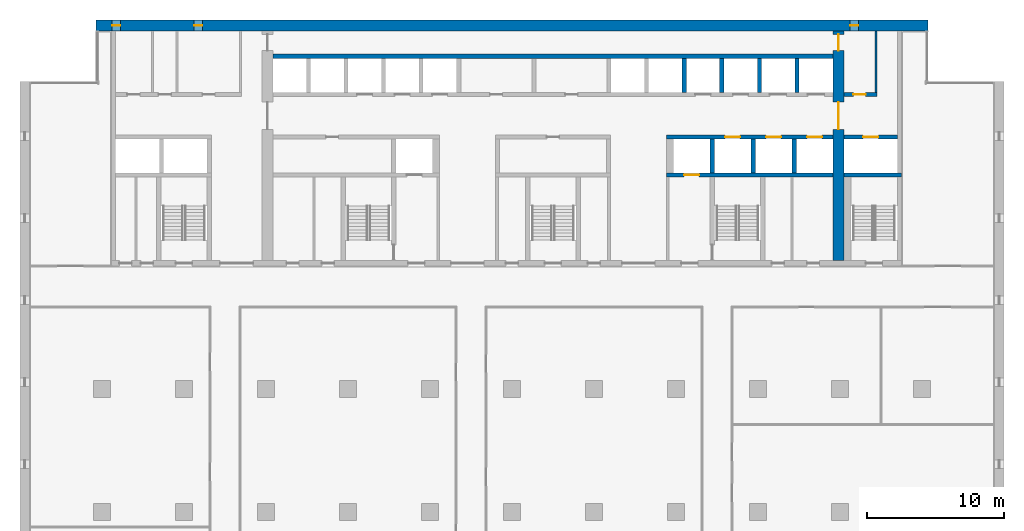
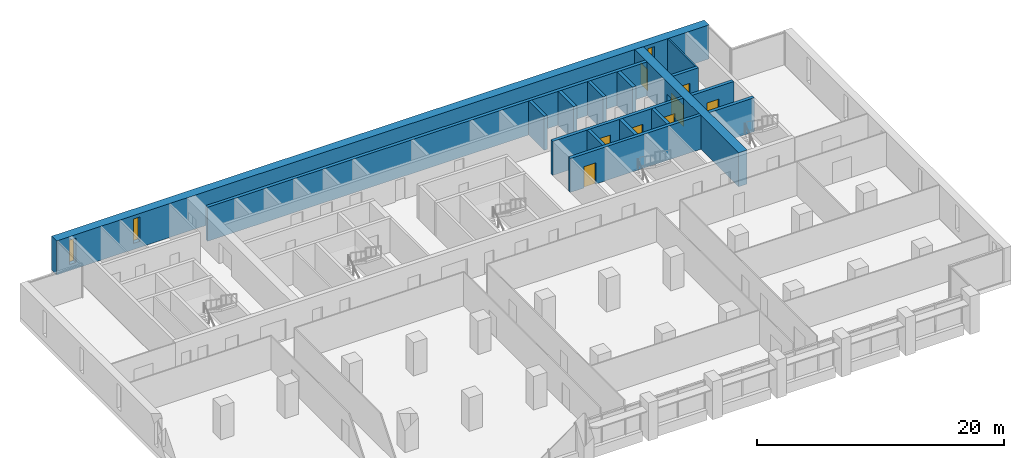
# One storey, part 11 of 16: 16 walls, 8 doors, 3 windows, 11 openings.
"""IFC4 building model written with IfcOpenShell, lengths in metres."""

from ifc_helpers import new_model, si_unit, direction, frame, frame_2d, origin, place, context, subcontext, project, spatial, rectangle, extrude, material, layer, layer_set, type_object, element, fill, save


model = new_model("IFC4")

# Units and contexts
model_context = context("Model", 3, precision=1e-05, world=origin(), true_north=direction((0.0, 1.0)))
body_context = subcontext(model_context, "Body", "Model", "MODEL_VIEW")
ifc_project = project(units=[si_unit("LENGTHUNIT", "METRE"), si_unit("AREAUNIT", "SQUARE_METRE"), si_unit("VOLUMEUNIT", "CUBIC_METRE"), si_unit("PLANEANGLEUNIT", "RADIAN"), si_unit("MASSUNIT", "GRAM", prefix="KILO")], contexts=[model_context])

# Site, building, storey
site_placement = place(None, origin())
site = spatial("IfcSite", under=ifc_project, at=site_placement, CompositionType="ELEMENT")
building_placement = place(site_placement, origin())
building = spatial("IfcBuilding", under=site, at=building_placement, Name="Calvaro Tower", CompositionType="ELEMENT")
storey_placement = place(building_placement, frame((0.0, 0.0, 140.0)))
storey = spatial("IfcBuildingStorey", under=building, at=storey_placement, Name="L35", CompositionType="ELEMENT", Elevation=140.0)

# Wall
ifc_material_1 = material(Name="Blockwork partition", Category="masonry")
ifc_layer_1 = layer(ifc_material_1, 0.14990234375)
ifc_layer_set_1 = layer_set([ifc_layer_1], Name="Blockwork partition")
wall_type_1 = type_object("IfcWallType", Name="Core partition 150 REI 120", PredefinedType="PARTITIONING", material=ifc_layer_set_1)
wall_1_placement = place(storey_placement, frame((62.625, 40.699951171875, 0.0), z_axis=(0.0, 0.0, 1.0), x_axis=(0.0, 1.0, 0.0)))
element("IfcWall", 1, at=wall_1_placement, inside=storey, type_object=wall_type_1, Name="Core partition", PredefinedType="PARTITIONING", context=body_context, shape_type="SweptSolid", body=[
    extrude(rectangle(XDim=4.5, YDim=0.14990234375, at=frame_2d((2.25, 0.0))), origin(), (0.0, 0.0, 1.0), 3.35009765625),
])

# Wall, opening, door
ifc_material_2 = material(Name="Blockwork partition", Category="masonry")
ifc_layer_2 = layer(ifc_material_2, 0.300048828125)
ifc_layer_set_2 = layer_set([ifc_layer_2], Name="Blockwork partition")
wall_type_2 = type_object("IfcWallType", Name="Core partition 300 REI 120", PredefinedType="PARTITIONING", material=ifc_layer_set_2)
wall_2_placement = place(storey_placement, frame((60.300048828125, 40.550048828125, 0.0), z_axis=(0.0, 0.0, 1.0), x_axis=(1.0, 0.0, 0.0)))
wall_2 = element("IfcWall", 2, at=wall_2_placement, inside=storey, type_object=wall_type_2, Name="Core partition", PredefinedType="PARTITIONING", context=body_context, shape_type="SweptSolid", body=[
    extrude(rectangle(XDim=2.39990234375, YDim=0.300048828125, at=frame_2d((1.199951171875, 0.0))), origin(), (0.0, 0.0, 1.0), 3.35009765625),
])
opening_1_placement = place(wall_2_placement, frame((0.675048828125, 0.0, 0.0)))
opening_1 = element("IfcOpeningElement", 3, at=opening_1_placement, cuts=wall_2, Name="Opening RD9E", PredefinedType="OPENING", context=body_context, shape_type="SweptSolid", body=[
    extrude(rectangle(XDim=0.89990234375, YDim=2.10009765625, at=frame_2d((0.449951171875, 1.050048828125))), frame((0.0, 0.159912109375, 0.0), z_axis=(0.0, -1.0, 0.0), x_axis=(1.0, 0.0, 0.0)), (0.0, 0.0, 1.0), 0.320068359375),
])
ifc_material_3 = material(Name="Steel door set", Category="steel")
door_type_1 = type_object("IfcDoorType", Name="Room door 900 FD60", OperationType="SINGLE_SWING_LEFT", PredefinedType="DOOR", material=ifc_material_3)
door_1_placement = place(opening_1_placement, origin())
door_1 = element("IfcDoor", 4, at=door_1_placement, inside=storey, type_object=door_type_1, Name="Room door", OperationType="SINGLE_SWING_LEFT", OverallHeight=2.10009765625, OverallWidth=0.89990234375, PredefinedType="DOOR", context=body_context, shape_type="SweptSolid", body=[
    extrude(rectangle(XDim=0.89990234375, YDim=2.10009765625, at=frame_2d((0.449951171875, 1.050048828125))), frame((0.0, 0.02490234375, 0.0), z_axis=(0.0, -1.0, 0.0), x_axis=(1.0, 0.0, 0.0)), (0.0, 0.0, 1.0), 0.050048828125),
])
fill(opening_1, door_1)

ifc_material_4 = material(Name="Concrete C60/75", Category="concrete")
ifc_layer_3 = layer(ifc_material_4, 0.300048828125)
ifc_layer_set_3 = layer_set([ifc_layer_3], Name="Concrete C60/75")
wall_type_3 = type_object("IfcWallType", Name="Core wall C60/75 300", PredefinedType="SHEAR", material=ifc_layer_set_3)
wall_3_placement = place(storey_placement, frame((47.300048828125, 34.64990234375, 0.0), z_axis=(0.0, 0.0, 1.0), x_axis=(1.0, 0.0, 0.0)))
wall_3 = element("IfcWall", 5, at=wall_3_placement, inside=storey, type_object=wall_type_3, Name="Core wall, lift shaft", PredefinedType="SHEAR", context=body_context, shape_type="SweptSolid", body=[
    extrude(rectangle(XDim=12.199951171875, YDim=0.300048828125, at=frame_2d((6.10009765625, 0.0))), origin(), (0.0, 0.0, 1.0), 3.35009765625),
])
opening_2_placement = place(wall_3_placement, frame((1.300048828125, 0.0, 0.0)))
opening_2 = element("IfcOpeningElement", 6, at=opening_2_placement, cuts=wall_3, Name="Opening FF2", PredefinedType="OPENING", context=body_context, shape_type="SweptSolid", body=[
    extrude(rectangle(XDim=1.10009765625, YDim=2.10009765625, at=frame_2d((0.550048828125, 1.050048828125))), frame((0.0, 0.159912109375, 0.0), z_axis=(0.0, -1.0, 0.0), x_axis=(1.0, 0.0, 0.0)), (0.0, 0.0, 1.0), 0.320068359375),
])
ifc_material_5 = material(Name="Stainless steel", Category="steel")
door_type_2 = type_object("IfcDoorType", Name="Landing door 1100 E 60", OperationType="SLIDING_TO_LEFT", PredefinedType="DOOR", material=ifc_material_5)
door_2_placement = place(opening_2_placement, origin())
door_2 = element("IfcDoor", 7, at=door_2_placement, inside=storey, type_object=door_type_2, Name="Landing door FF2", OperationType="SLIDING_TO_LEFT", OverallHeight=2.10009765625, OverallWidth=1.10009765625, PredefinedType="DOOR", context=body_context, shape_type="SweptSolid", body=[
    extrude(rectangle(XDim=1.10009765625, YDim=2.10009765625, at=frame_2d((0.550048828125, 1.050048828125))), frame((0.0, 0.02490234375, 0.0), z_axis=(0.0, -1.0, 0.0), x_axis=(1.0, 0.0, 0.0)), (0.0, 0.0, 1.0), 0.050048828125),
])
fill(opening_2, door_2)

# Wall
wall_4_placement = place(storey_placement, frame((60.300048828125, 34.64990234375, 0.0), z_axis=(0.0, 0.0, 1.0), x_axis=(1.0, 0.0, 0.0)))
element("IfcWall", 8, at=wall_4_placement, inside=storey, type_object=wall_type_3, Name="Core wall, lift shaft", PredefinedType="SHEAR", context=body_context, shape_type="SweptSolid", body=[
    extrude(rectangle(XDim=4.199951171875, YDim=0.300048828125, at=frame_2d((2.10009765625, 0.0))), origin(), (0.0, 0.0, 1.0), 3.35009765625),
])

# Wall, openings, doors
wall_5_placement = place(storey_placement, frame((47.300048828125, 37.449951171875, 0.0), z_axis=(0.0, 0.0, 1.0), x_axis=(1.0, 0.0, 0.0)))
wall_5 = element("IfcWall", 9, at=wall_5_placement, inside=storey, type_object=wall_type_3, Name="Core wall, lift shaft", PredefinedType="SHEAR", context=body_context, shape_type="SweptSolid", body=[
    extrude(rectangle(XDim=12.199951171875, YDim=0.300048828125, at=frame_2d((6.10009765625, 0.0))), origin(), (0.0, 0.0, 1.0), 3.35009765625),
])
opening_3_placement = place(wall_5_placement, frame((4.300048828125, 0.0, 0.0)))
opening_3 = element("IfcOpeningElement", 10, at=opening_3_placement, cuts=wall_5, Name="Opening MR1", PredefinedType="OPENING", context=body_context, shape_type="SweptSolid", body=[
    extrude(rectangle(XDim=1.10009765625, YDim=2.10009765625, at=frame_2d((0.550048828125, 1.050048828125))), frame((0.0, 0.159912109375, 0.0), z_axis=(0.0, -1.0, 0.0), x_axis=(1.0, 0.0, 0.0)), (0.0, 0.0, 1.0), 0.320068359375),
])
opening_4_placement = place(wall_5_placement, frame((7.300048828125, 0.0, 0.0)))
opening_4 = element("IfcOpeningElement", 11, at=opening_4_placement, cuts=wall_5, Name="Opening MR2", PredefinedType="OPENING", context=body_context, shape_type="SweptSolid", body=[
    extrude(rectangle(XDim=1.10009765625, YDim=2.10009765625, at=frame_2d((0.550048828125, 1.050048828125))), frame((0.0, 0.159912109375, 0.0), z_axis=(0.0, -1.0, 0.0), x_axis=(1.0, 0.0, 0.0)), (0.0, 0.0, 1.0), 0.320068359375),
])
opening_5_placement = place(wall_5_placement, frame((10.300048828125, 0.0, 0.0)))
opening_5 = element("IfcOpeningElement", 12, at=opening_5_placement, cuts=wall_5, Name="Opening MR3", PredefinedType="OPENING", context=body_context, shape_type="SweptSolid", body=[
    extrude(rectangle(XDim=1.10009765625, YDim=2.10009765625, at=frame_2d((0.550048828125, 1.050048828125))), frame((0.0, 0.159912109375, 0.0), z_axis=(0.0, -1.0, 0.0), x_axis=(1.0, 0.0, 0.0)), (0.0, 0.0, 1.0), 0.320068359375),
])
door_3_placement = place(opening_3_placement, origin())
door_3 = element("IfcDoor", 13, at=door_3_placement, inside=storey, type_object=door_type_2, Name="Landing door MR1", OperationType="SLIDING_TO_LEFT", OverallHeight=2.10009765625, OverallWidth=1.10009765625, PredefinedType="DOOR", context=body_context, shape_type="SweptSolid", body=[
    extrude(rectangle(XDim=1.10009765625, YDim=2.10009765625, at=frame_2d((0.550048828125, 1.050048828125))), frame((0.0, 0.02490234375, 0.0), z_axis=(0.0, -1.0, 0.0), x_axis=(1.0, 0.0, 0.0)), (0.0, 0.0, 1.0), 0.050048828125),
])
fill(opening_3, door_3)
door_4_placement = place(opening_4_placement, origin())
door_4 = element("IfcDoor", 14, at=door_4_placement, inside=storey, type_object=door_type_2, Name="Landing door MR2", OperationType="SLIDING_TO_LEFT", OverallHeight=2.10009765625, OverallWidth=1.10009765625, PredefinedType="DOOR", context=body_context, shape_type="SweptSolid", body=[
    extrude(rectangle(XDim=1.10009765625, YDim=2.10009765625, at=frame_2d((0.550048828125, 1.050048828125))), frame((0.0, 0.02490234375, 0.0), z_axis=(0.0, -1.0, 0.0), x_axis=(1.0, 0.0, 0.0)), (0.0, 0.0, 1.0), 0.050048828125),
])
fill(opening_4, door_4)
door_5_placement = place(opening_5_placement, origin())
door_5 = element("IfcDoor", 15, at=door_5_placement, inside=storey, type_object=door_type_2, Name="Landing door MR3", OperationType="SLIDING_TO_LEFT", OverallHeight=2.10009765625, OverallWidth=1.10009765625, PredefinedType="DOOR", context=body_context, shape_type="SweptSolid", body=[
    extrude(rectangle(XDim=1.10009765625, YDim=2.10009765625, at=frame_2d((0.550048828125, 1.050048828125))), frame((0.0, 0.02490234375, 0.0), z_axis=(0.0, -1.0, 0.0), x_axis=(1.0, 0.0, 0.0)), (0.0, 0.0, 1.0), 0.050048828125),
])
fill(opening_5, door_5)

# Wall, opening, door
wall_6_placement = place(storey_placement, frame((60.300048828125, 37.449951171875, 0.0), z_axis=(0.0, 0.0, 1.0), x_axis=(1.0, 0.0, 0.0)))
wall_6 = element("IfcWall", 16, at=wall_6_placement, inside=storey, type_object=wall_type_3, Name="Core wall, lift shaft", PredefinedType="SHEAR", context=body_context, shape_type="SweptSolid", body=[
    extrude(rectangle(XDim=3.89990234375, YDim=0.300048828125, at=frame_2d((1.949951171875, 0.0))), origin(), (0.0, 0.0, 1.0), 3.35009765625),
])
opening_6_placement = place(wall_6_placement, frame((1.39990234375, 0.0, 0.0)))
opening_6 = element("IfcOpeningElement", 17, at=opening_6_placement, cuts=wall_6, Name="Opening FF3", PredefinedType="OPENING", context=body_context, shape_type="SweptSolid", body=[
    extrude(rectangle(XDim=1.10009765625, YDim=2.10009765625, at=frame_2d((0.550048828125, 1.050048828125))), frame((0.0, 0.159912109375, 0.0), z_axis=(0.0, -1.0, 0.0), x_axis=(1.0, 0.0, 0.0)), (0.0, 0.0, 1.0), 0.320068359375),
])
door_6_placement = place(opening_6_placement, origin())
door_6 = element("IfcDoor", 18, at=door_6_placement, inside=storey, type_object=door_type_2, Name="Landing door FF3", OperationType="SLIDING_TO_LEFT", OverallHeight=2.10009765625, OverallWidth=1.10009765625, PredefinedType="DOOR", context=body_context, shape_type="SweptSolid", body=[
    extrude(rectangle(XDim=1.10009765625, YDim=2.10009765625, at=frame_2d((0.550048828125, 1.050048828125))), frame((0.0, 0.02490234375, 0.0), z_axis=(0.0, -1.0, 0.0), x_axis=(1.0, 0.0, 0.0)), (0.0, 0.0, 1.0), 0.050048828125),
])
fill(opening_6, door_6)

# Walls
wall_7_placement = place(storey_placement, frame((50.64990234375, 34.800048828125, 0.0), z_axis=(0.0, 0.0, 1.0), x_axis=(0.0, 1.0, 0.0)))
element("IfcWall", 19, at=wall_7_placement, inside=storey, type_object=wall_type_3, Name="Core wall, lift shaft", PredefinedType="SHEAR", context=body_context, shape_type="SweptSolid", body=[
    extrude(rectangle(XDim=2.5, YDim=0.300048828125, at=frame_2d((1.25, 0.0))), origin(), (0.0, 0.0, 1.0), 3.35009765625),
])
wall_8_placement = place(storey_placement, frame((18.5, 43.35009765625, 0.0), z_axis=(0.0, 0.0, 1.0), x_axis=(1.0, 0.0, 0.0)))
element("IfcWall", 20, at=wall_8_placement, inside=storey, type_object=wall_type_3, Name="Core wall, lift shaft", PredefinedType="SHEAR", context=body_context, shape_type="SweptSolid", body=[
    extrude(rectangle(XDim=41.0, YDim=0.300048828125, at=frame_2d((20.5, 0.0))), origin(), (0.0, 0.0, 1.0), 3.35009765625),
])
for number, where, z_axis, x_axis, name in (
    (21, (53.64990234375, 34.800048828125, 0.0), (0.0, 0.0, 1.0), (0.0, 1.0, 0.0), "Core wall, lift shaft"),
    (22, (56.64990234375, 34.800048828125, 0.0), (0.0, 0.0, 1.0), (0.0, 1.0, 0.0), "Core wall, lift shaft"),
    (23, (48.60009765625, 40.699951171875, 0.0), (0.0, 0.0, 1.0), (0.0, 1.0, 0.0), "Core wall, lift shaft"),
    (24, (51.35009765625, 40.699951171875, 0.0), (0.0, 0.0, 1.0), (0.0, 1.0, 0.0), "Core wall, lift shaft"),
    (25, (54.10009765625, 40.699951171875, 0.0), (0.0, 0.0, 1.0), (0.0, 1.0, 0.0), "Core wall, lift shaft"),
    (26, (56.85009765625, 40.699951171875, 0.0), (0.0, 0.0, 1.0), (0.0, 1.0, 0.0), "Core wall, lift shaft"),
):
    element("IfcWall", number, at=place(storey_placement, frame(where, z_axis=z_axis, x_axis=x_axis)), inside=storey, type_object=wall_type_3, Name=name, PredefinedType="SHEAR", context=body_context, shape_type="SweptSolid", body=[
        extrude(rectangle(XDim=2.5, YDim=0.300048828125, at=frame_2d((1.25, 0.0))), origin(), (0.0, 0.0, 1.0), 3.35009765625),
    ])

# Wall, openings, doors
ifc_material_6 = material(Name="Concrete C60/75", Category="concrete")
ifc_layer_4 = layer(ifc_material_6, 0.800048828125)
ifc_layer_set_4 = layer_set([ifc_layer_4], Name="Concrete C60/75")
wall_type_4 = type_object("IfcWallType", Name="Core wall C60/75 800", PredefinedType="SHEAR", material=ifc_layer_set_4)
wall_9_placement = place(storey_placement, frame((59.89990234375, 28.39990234375, 0.0), z_axis=(0.0, 0.0, 1.0), x_axis=(0.0, 1.0, 0.0)))
wall_9 = element("IfcWall", 27, at=wall_9_placement, inside=storey, type_object=wall_type_4, Name="Core wall, cross shear wall", PredefinedType="SHEAR", context=body_context, shape_type="SweptSolid", body=[
    extrude(rectangle(XDim=16.800048828125, YDim=0.800048828125, at=frame_2d((8.39990234375, 0.0))), origin(), (0.0, 0.0, 1.0), 3.35009765625),
])
opening_7_placement = place(wall_9_placement, frame((9.60009765625, 0.0, 0.0)))
opening_7 = element("IfcOpeningElement", 28, at=opening_7_placement, cuts=wall_9, Name="Opening DD20D", PredefinedType="OPENING", context=body_context, shape_type="SweptSolid", body=[
    extrude(rectangle(XDim=2.0, YDim=2.10009765625, at=frame_2d((1.0, 1.050048828125))), frame((0.0, 0.409912109375, 0.0), z_axis=(0.0, -1.0, 0.0), x_axis=(1.0, 0.0, 0.0)), (0.0, 0.0, 1.0), 0.820068359375),
])
opening_8_placement = place(wall_9_placement, frame((15.35009765625, 0.0, 0.0)))
opening_8 = element("IfcOpeningElement", 29, at=opening_8_placement, cuts=wall_9, Name="Opening FD12C", PredefinedType="OPENING", context=body_context, shape_type="SweptSolid", body=[
    extrude(rectangle(XDim=1.199951171875, YDim=2.10009765625, at=frame_2d((0.60009765625, 1.050048828125))), frame((0.0, 0.409912109375, 0.0), z_axis=(0.0, -1.0, 0.0), x_axis=(1.0, 0.0, 0.0)), (0.0, 0.0, 1.0), 0.820068359375),
])
ifc_material_7 = material(Name="Steel door set", Category="steel")
door_type_3 = type_object("IfcDoorType", Name="Fire door 1200 FD30", OperationType="SINGLE_SWING_LEFT", PredefinedType="DOOR", material=ifc_material_7)
door_7_placement = place(opening_8_placement, origin())
door_7 = element("IfcDoor", 30, at=door_7_placement, inside=storey, type_object=door_type_3, Name="Fire door", OperationType="SINGLE_SWING_LEFT", OverallHeight=2.10009765625, OverallWidth=1.199951171875, PredefinedType="DOOR", context=body_context, shape_type="SweptSolid", body=[
    extrude(rectangle(XDim=1.199951171875, YDim=2.10009765625, at=frame_2d((0.60009765625, 1.050048828125))), frame((0.0, 0.02490234375, 0.0), z_axis=(0.0, -1.0, 0.0), x_axis=(1.0, 0.0, 0.0)), (0.0, 0.0, 1.0), 0.050048828125),
])
fill(opening_8, door_7)
ifc_material_8 = material(Name="Steel door set", Category="steel")
door_type_4 = type_object("IfcDoorType", Name="Lobby double door 2000 FD30S", OperationType="DOUBLE_DOOR_SINGLE_SWING", PredefinedType="DOOR", material=ifc_material_8)
door_8_placement = place(opening_7_placement, origin())
door_8 = element("IfcDoor", 31, at=door_8_placement, inside=storey, type_object=door_type_4, Name="Lobby double door", OperationType="DOUBLE_DOOR_SINGLE_SWING", OverallHeight=2.10009765625, OverallWidth=2.0, PredefinedType="DOOR", context=body_context, shape_type="SweptSolid", body=[
    extrude(rectangle(XDim=2.0, YDim=2.10009765625, at=frame_2d((1.0, 1.050048828125))), frame((0.0, 0.02490234375, 0.0), z_axis=(0.0, -1.0, 0.0), x_axis=(1.0, 0.0, 0.0)), (0.0, 0.0, 1.0), 0.050048828125),
])
fill(opening_7, door_8)

# Wall, openings, windows
ifc_material_9 = material(Name="Concrete C60/75", Category="concrete")
ifc_layer_5 = layer(ifc_material_9, 0.800048828125)
ifc_layer_set_5 = layer_set([ifc_layer_5], Name="Concrete C60/75")
wall_type_5 = type_object("IfcWallType", Name="Rear core wall 800 C60/75", PredefinedType="SHEAR", material=ifc_layer_set_5)
wall_10_placement = place(storey_placement, frame((5.550048828125, 45.60009765625, 0.0), z_axis=(0.0, 0.0, 1.0), x_axis=(1.0, 0.0, 0.0)))
wall_10 = element("IfcWall", 32, at=wall_10_placement, inside=storey, type_object=wall_type_5, Name="North core wall", PredefinedType="SHEAR", context=body_context, shape_type="SweptSolid", body=[
    extrude(rectangle(XDim=60.89990234375, YDim=0.800048828125, at=frame_2d((30.449951171875, 0.0))), origin(), (0.0, 0.0, 1.0), 3.35009765625),
])
opening_9_placement = place(wall_10_placement, frame((1.199951171875, 0.0, 0.60009765625)))
opening_9 = element("IfcOpeningElement", 33, at=opening_9_placement, cuts=wall_10, Name="Opening WN01", PredefinedType="OPENING", context=body_context, shape_type="SweptSolid", body=[
    extrude(rectangle(XDim=0.60009765625, YDim=2.39990234375, at=frame_2d((0.300048828125, 1.199951171875))), frame((0.0, 0.409912109375, 0.0), z_axis=(0.0, -1.0, 0.0), x_axis=(1.0, 0.0, 0.0)), (0.0, 0.0, 1.0), 0.820068359375),
])
opening_10_placement = place(wall_10_placement, frame((7.199951171875, 0.0, 0.60009765625)))
opening_10 = element("IfcOpeningElement", 34, at=opening_10_placement, cuts=wall_10, Name="Opening WN02", PredefinedType="OPENING", context=body_context, shape_type="SweptSolid", body=[
    extrude(rectangle(XDim=0.60009765625, YDim=2.39990234375, at=frame_2d((0.300048828125, 1.199951171875))), frame((0.0, 0.409912109375, 0.0), z_axis=(0.0, -1.0, 0.0), x_axis=(1.0, 0.0, 0.0)), (0.0, 0.0, 1.0), 0.820068359375),
])
opening_11_placement = place(wall_10_placement, frame((55.199951171875, 0.0, 0.60009765625)))
opening_11 = element("IfcOpeningElement", 35, at=opening_11_placement, cuts=wall_10, Name="Opening WN10", PredefinedType="OPENING", context=body_context, shape_type="SweptSolid", body=[
    extrude(rectangle(XDim=0.60009765625, YDim=2.39990234375, at=frame_2d((0.300048828125, 1.199951171875))), frame((0.0, 0.409912109375, 0.0), z_axis=(0.0, -1.0, 0.0), x_axis=(1.0, 0.0, 0.0)), (0.0, 0.0, 1.0), 0.820068359375),
])
ifc_material_10 = material(Name="Glass", Category="glass")
window_type = type_object("IfcWindowType", Name="Slit window 600 x 2400", PartitioningType="SINGLE_PANEL", PredefinedType="WINDOW", material=ifc_material_10)
window_1_placement = place(opening_9_placement, origin())
window_1 = element("IfcWindow", 36, at=window_1_placement, inside=storey, type_object=window_type, Name="Window WN01", OverallHeight=2.39990234375, OverallWidth=0.60009765625, PartitioningType="SINGLE_PANEL", PredefinedType="WINDOW", context=body_context, shape_type="SweptSolid", body=[
    extrude(rectangle(XDim=0.60009765625, YDim=2.39990234375, at=frame_2d((0.300048828125, 1.199951171875))), frame((0.0, 0.030029296875, 0.0), z_axis=(0.0, -1.0, 0.0), x_axis=(1.0, 0.0, 0.0)), (0.0, 0.0, 1.0), 0.06005859375),
])
fill(opening_9, window_1)
window_2_placement = place(opening_10_placement, origin())
window_2 = element("IfcWindow", 37, at=window_2_placement, inside=storey, type_object=window_type, Name="Window WN02", OverallHeight=2.39990234375, OverallWidth=0.60009765625, PartitioningType="SINGLE_PANEL", PredefinedType="WINDOW", context=body_context, shape_type="SweptSolid", body=[
    extrude(rectangle(XDim=0.60009765625, YDim=2.39990234375, at=frame_2d((0.300048828125, 1.199951171875))), frame((0.0, 0.030029296875, 0.0), z_axis=(0.0, -1.0, 0.0), x_axis=(1.0, 0.0, 0.0)), (0.0, 0.0, 1.0), 0.06005859375),
])
fill(opening_10, window_2)
window_3_placement = place(opening_11_placement, origin())
window_3 = element("IfcWindow", 38, at=window_3_placement, inside=storey, type_object=window_type, Name="Window WN10", OverallHeight=2.39990234375, OverallWidth=0.60009765625, PartitioningType="SINGLE_PANEL", PredefinedType="WINDOW", context=body_context, shape_type="SweptSolid", body=[
    extrude(rectangle(XDim=0.60009765625, YDim=2.39990234375, at=frame_2d((0.300048828125, 1.199951171875))), frame((0.0, 0.030029296875, 0.0), z_axis=(0.0, -1.0, 0.0), x_axis=(1.0, 0.0, 0.0)), (0.0, 0.0, 1.0), 0.06005859375),
])
fill(opening_11, window_3)

save(model, "model.ifc")
